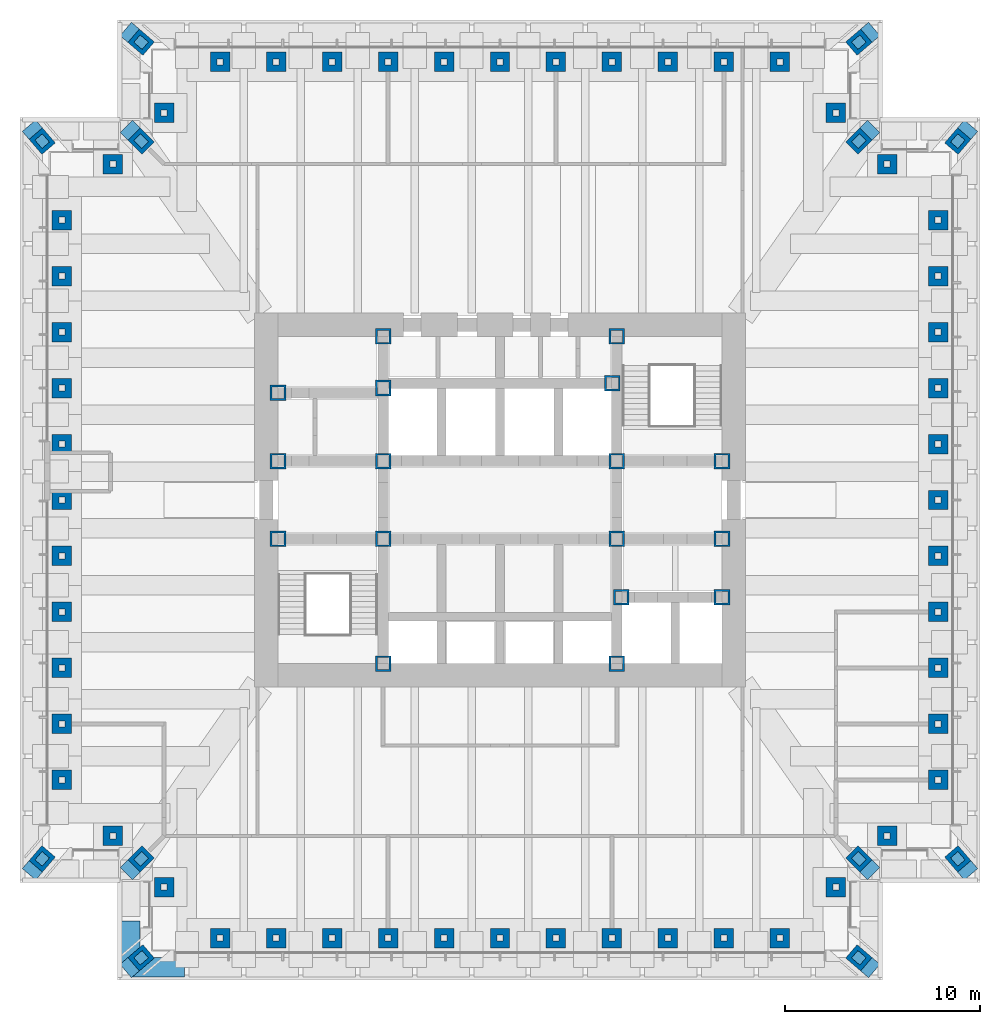
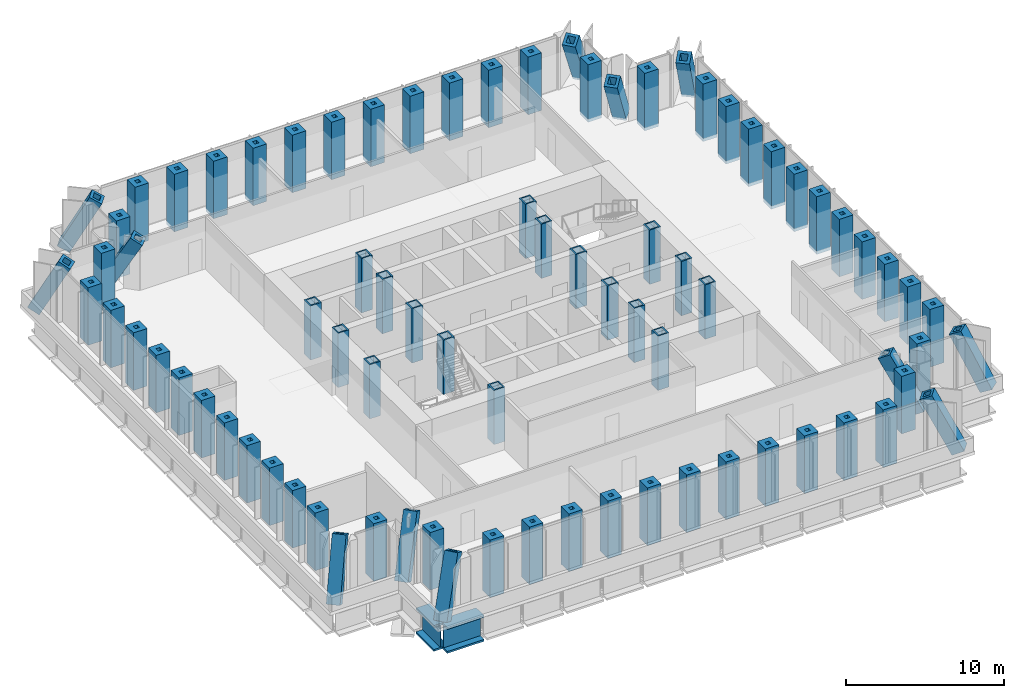
# One storey, part 1 of 13: 81 columns, 2 beams.
"""IFC4 building model written with IfcOpenShell, lengths in metres."""

from ifc_helpers import new_model, si_unit, direction, frame, origin, origin_2d, place, context, subcontext, project, spatial, hollow_rectangle, i_section, extrude, clip, halfspace, material, material_profile, profile_set, type_object, element, save


model = new_model("IFC4")

# Units and contexts
model_context = context("Model", 3, precision=1e-05, world=origin(), true_north=direction((0.0, 1.0)))
body_context = subcontext(model_context, "Body", "Model", "MODEL_VIEW")
ifc_project = project(units=[si_unit("LENGTHUNIT", "METRE"), si_unit("AREAUNIT", "SQUARE_METRE"), si_unit("VOLUMEUNIT", "CUBIC_METRE"), si_unit("PLANEANGLEUNIT", "RADIAN"), si_unit("MASSUNIT", "GRAM", prefix="KILO")], contexts=[model_context])

# Site, building, storey
site_placement = place(None, origin())
site = spatial("IfcSite", under=ifc_project, at=site_placement, CompositionType="ELEMENT")
building_placement = place(site_placement, origin())
building = spatial("IfcBuilding", under=site, at=building_placement, Name="Daluyong Arena Tower", CompositionType="ELEMENT")
storey_placement = place(building_placement, frame((0.0, 0.0, 108.10009765625)))
storey = spatial("IfcBuildingStorey", under=building, at=storey_placement, Name="L23", CompositionType="ELEMENT", Elevation=108.10009765625)

# Columns
ifc_material_1 = material(Name="Steel ASTM A572 Grade 50", Category="steel")
ifc_material_profile_1 = material_profile(ifc_material_1, hollow_rectangle(XDim=0.800048828125, YDim=0.800048828125, WallThickness=0.1, at=origin_2d()))
ifc_profile_set_1 = profile_set([ifc_material_profile_1], Name="Steel ASTM A572 Grade 50")
column_type_1 = type_object("IfcColumnType", Name="Core boundary column BX800X100", PredefinedType="COLUMN", material=ifc_profile_set_1)
for number, where, z_axis, x_axis, name in (
    (1, (44.60009765625, 78.0, 0.0), (0.0, 0.0, 1.0), (1.0, 0.0, 0.0), "core boundary column BC2"),
    (2, (44.60009765625, 82.0, 0.0), (0.0, 0.0, 1.0), (1.0, 0.0, 0.0), "core boundary column BC2"),
    (3, (44.60009765625, 85.5, 0.0), (0.0, 0.0, 1.0), (1.0, 0.0, 0.0), "core boundary column BC2"),
    (4, (50.0, 71.60009765625, 0.0), (0.0, 0.0, 1.0), (1.0, 0.0, 0.0), "core boundary column BC2"),
    (5, (50.0, 78.0, 0.0), (0.0, 0.0, 1.0), (1.0, 0.0, 0.0), "core boundary column BC2"),
    (6, (50.0, 82.0, 0.0), (0.0, 0.0, 1.0), (1.0, 0.0, 0.0), "core boundary column BC2"),
    (7, (50.0, 85.75, 0.0), (0.0, 0.0, 1.0), (1.0, 0.0, 0.0), "core boundary column BC2"),
    (8, (50.0, 88.39990234375, 0.0), (0.0, 0.0, 1.0), (1.0, 0.0, 0.0), "core boundary column BC2"),
    (9, (61.77490234375, 86.0, 0.0), (0.0, 0.0, 1.0), (1.0, 0.0, 0.0), "core boundary column BC2"),
    (10, (62.0, 71.60009765625, 0.0), (0.0, 0.0, 1.0), (1.0, 0.0, 0.0), "core boundary column BC2"),
    (11, (62.0, 78.0, 0.0), (0.0, 0.0, 1.0), (1.0, 0.0, 0.0), "core boundary column BC2"),
    (12, (62.0, 82.0, 0.0), (0.0, 0.0, 1.0), (1.0, 0.0, 0.0), "core boundary column BC2"),
    (13, (62.0, 88.39990234375, 0.0), (0.0, 0.0, 1.0), (1.0, 0.0, 0.0), "core boundary column BC2"),
    (14, (62.22509765625, 75.0, 0.0), (0.0, 0.0, 1.0), (1.0, 0.0, 0.0), "core boundary column BC2"),
    (15, (67.39990234375, 75.0, 0.0), (0.0, 0.0, 1.0), (1.0, 0.0, 0.0), "core boundary column BC2"),
    (16, (67.39990234375, 78.0, 0.0), (0.0, 0.0, 1.0), (1.0, 0.0, 0.0), "core boundary column BC2"),
    (17, (67.39990234375, 82.0, 0.0), (0.0, 0.0, 1.0), (1.0, 0.0, 0.0), "core boundary column BC2"),
):
    element("IfcColumn", number, at=place(storey_placement, frame(where, z_axis=z_axis, x_axis=x_axis)), inside=storey, type_object=column_type_1, Name=name, PredefinedType="COLUMN", context=body_context, shape_type="SweptSolid", body=[
        extrude(hollow_rectangle(XDim=0.800048828125, YDim=0.800048828125, WallThickness=0.1, at=origin_2d()), origin(), (0.0, 0.0, 1.0), 4.199951171875),
    ])
ifc_material_2 = material(Name="Steel ASTM A588 Grade 50", Category="steel")
ifc_material_profile_2 = material_profile(ifc_material_2, hollow_rectangle(XDim=0.89990234375, YDim=0.89990234375, WallThickness=0.2, at=origin_2d()))
ifc_profile_set_2 = profile_set([ifc_material_profile_2], Name="Steel ASTM A588 Grade 50")
column_type_2 = type_object("IfcColumnType", Name="Transition column BX900X200", PredefinedType="COLUMN", material=ifc_profile_set_2)
for number, where, z_axis, x_axis, name in (
    (18, (37.0, 56.0, -0.25), (0.349200787792, 0.299314960964, 0.887957974202), (-0.650791373456, 0.759256602365, 0.0), "transition column TT1"),
    (19, (75.0, 56.0, -0.25), (-0.349200787792, 0.299314960964, 0.887957974202), (-0.650791373456, -0.759256602365, 0.0), "transition column TT1"),
):
    element("IfcColumn", number, at=place(storey_placement, frame(where, z_axis=z_axis, x_axis=x_axis)), inside=storey, type_object=column_type_2, Name=name, PredefinedType="COLUMN", context=body_context, shape_type="Clipping", body=[
        clip(clip(extrude(hollow_rectangle(XDim=0.89990234375, YDim=0.89990234375, WallThickness=0.2, at=origin_2d()), origin(), (0.0, 0.0, 1.0), 5.011474609375), halfspace(frame((0.0, 0.0, 0.2353515625), z_axis=(0.0, 0.0, 1.0), x_axis=(1.0, 0.0, 0.0)), True)), halfspace(frame((0.0, 0.0, 4.776123046875), z_axis=(0.0, 0.0, -1.0), x_axis=(1.0, 0.0, 0.0)), True)),
    ])
column_1_placement = place(storey_placement, frame((75.0, 61.0, -0.25), z_axis=(-0.343685624304, 0.343685624304, 0.873933855216), x_axis=(-0.707106781187, -0.707106781187, 0.0)))
element("IfcColumn", 20, at=column_1_placement, inside=storey, type_object=column_type_2, Name="transition column TT1", PredefinedType="COLUMN", context=body_context, shape_type="Clipping", body=[
    clip(clip(extrude(hollow_rectangle(XDim=0.89990234375, YDim=0.89990234375, WallThickness=0.2, at=origin_2d()), origin(), (0.0, 0.0, 1.0), 5.091796875), halfspace(frame((0.0, 0.0, 0.252685546875), z_axis=(0.0, 0.0, 1.0), x_axis=(1.0, 0.0, 0.0)), True)), halfspace(frame((0.0, 0.0, 4.839111328125), z_axis=(0.0, 0.0, -1.0), x_axis=(1.0, 0.0, 0.0)), True)),
])
for number, where, z_axis, x_axis, name in (
    (21, (80.0, 61.0, -0.25), (-0.299314960964, 0.349200787792, 0.887957974202), (-0.759256602365, -0.650791373456, 0.0), "transition column TT1"),
    (22, (80.0, 99.0, -0.25), (-0.299314960964, -0.349200787792, 0.887957974202), (0.759256602365, -0.650791373456, 0.0), "transition column TT1"),
):
    element("IfcColumn", number, at=place(storey_placement, frame(where, z_axis=z_axis, x_axis=x_axis)), inside=storey, type_object=column_type_2, Name=name, PredefinedType="COLUMN", context=body_context, shape_type="Clipping", body=[
        clip(clip(extrude(hollow_rectangle(XDim=0.89990234375, YDim=0.89990234375, WallThickness=0.2, at=origin_2d()), origin(), (0.0, 0.0, 1.0), 5.011474609375), halfspace(frame((0.0, 0.0, 0.2353515625), z_axis=(0.0, 0.0, 1.0), x_axis=(1.0, 0.0, 0.0)), True)), halfspace(frame((0.0, 0.0, 4.776123046875), z_axis=(0.0, 0.0, -1.0), x_axis=(1.0, 0.0, 0.0)), True)),
    ])
column_2_placement = place(storey_placement, frame((75.0, 99.0, -0.25), z_axis=(-0.343685624304, -0.343685624304, 0.873933855216), x_axis=(0.707106781187, -0.707106781187, 0.0)))
element("IfcColumn", 23, at=column_2_placement, inside=storey, type_object=column_type_2, Name="transition column TT1", PredefinedType="COLUMN", context=body_context, shape_type="Clipping", body=[
    clip(clip(extrude(hollow_rectangle(XDim=0.89990234375, YDim=0.89990234375, WallThickness=0.2, at=origin_2d()), origin(), (0.0, 0.0, 1.0), 5.091796875), halfspace(frame((0.0, 0.0, 0.252685546875), z_axis=(0.0, 0.0, 1.0), x_axis=(1.0, 0.0, 0.0)), True)), halfspace(frame((0.0, 0.0, 4.839111328125), z_axis=(0.0, 0.0, -1.0), x_axis=(1.0, 0.0, 0.0)), True)),
])
for number, where, z_axis, x_axis, name in (
    (24, (75.0, 104.0, -0.25), (-0.349200787792, -0.299314960964, 0.887957974202), (0.650791373456, -0.759256602365, 0.0), "transition column TT1"),
    (25, (37.0, 104.0, -0.25), (0.349200787792, -0.299314960964, 0.887957974202), (0.650791373456, 0.759256602365, 0.0), "transition column TT1"),
):
    element("IfcColumn", number, at=place(storey_placement, frame(where, z_axis=z_axis, x_axis=x_axis)), inside=storey, type_object=column_type_2, Name=name, PredefinedType="COLUMN", context=body_context, shape_type="Clipping", body=[
        clip(clip(extrude(hollow_rectangle(XDim=0.89990234375, YDim=0.89990234375, WallThickness=0.2, at=origin_2d()), origin(), (0.0, 0.0, 1.0), 5.011474609375), halfspace(frame((0.0, 0.0, 0.2353515625), z_axis=(0.0, 0.0, 1.0), x_axis=(1.0, 0.0, 0.0)), True)), halfspace(frame((0.0, 0.0, 4.776123046875), z_axis=(0.0, 0.0, -1.0), x_axis=(1.0, 0.0, 0.0)), True)),
    ])
column_3_placement = place(storey_placement, frame((37.0, 99.0, -0.25), z_axis=(0.343685624304, -0.343685624304, 0.873933855216), x_axis=(0.707106781187, 0.707106781187, 0.0)))
element("IfcColumn", 26, at=column_3_placement, inside=storey, type_object=column_type_2, Name="transition column TT1", PredefinedType="COLUMN", context=body_context, shape_type="Clipping", body=[
    clip(clip(extrude(hollow_rectangle(XDim=0.89990234375, YDim=0.89990234375, WallThickness=0.2, at=origin_2d()), origin(), (0.0, 0.0, 1.0), 5.091796875), halfspace(frame((0.0, 0.0, 0.252685546875), z_axis=(0.0, 0.0, 1.0), x_axis=(1.0, 0.0, 0.0)), True)), halfspace(frame((0.0, 0.0, 4.839111328125), z_axis=(0.0, 0.0, -1.0), x_axis=(1.0, 0.0, 0.0)), True)),
])
for number, where, z_axis, x_axis, name in (
    (27, (32.0, 99.0, -0.25), (0.299314960964, -0.349200787792, 0.887957974202), (0.759256602365, 0.650791373456, 0.0), "transition column TT1"),
    (28, (32.0, 61.0, -0.25), (0.299314960964, 0.349200787792, 0.887957974202), (-0.759256602365, 0.650791373456, 0.0), "transition column TT1"),
):
    element("IfcColumn", number, at=place(storey_placement, frame(where, z_axis=z_axis, x_axis=x_axis)), inside=storey, type_object=column_type_2, Name=name, PredefinedType="COLUMN", context=body_context, shape_type="Clipping", body=[
        clip(clip(extrude(hollow_rectangle(XDim=0.89990234375, YDim=0.89990234375, WallThickness=0.2, at=origin_2d()), origin(), (0.0, 0.0, 1.0), 5.011474609375), halfspace(frame((0.0, 0.0, 0.2353515625), z_axis=(0.0, 0.0, 1.0), x_axis=(1.0, 0.0, 0.0)), True)), halfspace(frame((0.0, 0.0, 4.776123046875), z_axis=(0.0, 0.0, -1.0), x_axis=(1.0, 0.0, 0.0)), True)),
    ])
column_4_placement = place(storey_placement, frame((37.0, 61.0, -0.25), z_axis=(0.343685624304, 0.343685624304, 0.873933855216), x_axis=(-0.707106781187, 0.707106781187, 0.0)))
element("IfcColumn", 29, at=column_4_placement, inside=storey, type_object=column_type_2, Name="transition column TT1", PredefinedType="COLUMN", context=body_context, shape_type="Clipping", body=[
    clip(clip(extrude(hollow_rectangle(XDim=0.89990234375, YDim=0.89990234375, WallThickness=0.2, at=origin_2d()), origin(), (0.0, 0.0, 1.0), 5.091796875), halfspace(frame((0.0, 0.0, 0.252685546875), z_axis=(0.0, 0.0, 1.0), x_axis=(1.0, 0.0, 0.0)), True)), halfspace(frame((0.0, 0.0, 4.839111328125), z_axis=(0.0, 0.0, -1.0), x_axis=(1.0, 0.0, 0.0)), True)),
])
ifc_material_3 = material(Name="Steel ASTM A36", Category="steel")
ifc_material_profile_3 = material_profile(ifc_material_3, hollow_rectangle(XDim=1.0, YDim=1.0, WallThickness=0.35, at=origin_2d()))
ifc_profile_set_3 = profile_set([ifc_material_profile_3], Name="Steel ASTM A36")
column_type_3 = type_object("IfcColumnType", Name="Tube column BX1000X350 BX1000X350", PredefinedType="COLUMN", material=ifc_profile_set_3)
for number, where, z_axis, x_axis, name in (
    (30, (41.625, 57.5, -0.25), (0.0, 0.0, 1.0), (1.0, 0.0, 0.0), "tube column bx1000x350 TC3"),
    (31, (44.5, 57.5, -0.25), (0.0, 0.0, 1.0), (1.0, 0.0, 0.0), "tube column bx1000x350 TC3"),
    (32, (47.375, 57.5, -0.25), (0.0, 0.0, 1.0), (1.0, 0.0, 0.0), "tube column bx1000x350 TC3"),
    (33, (50.25, 57.5, -0.25), (0.0, 0.0, 1.0), (1.0, 0.0, 0.0), "tube column bx1000x350 TC3"),
    (34, (53.125, 57.5, -0.25), (0.0, 0.0, 1.0), (1.0, 0.0, 0.0), "tube column bx1000x350 TC3"),
    (35, (56.0, 57.5, -0.25), (0.0, 0.0, 1.0), (1.0, 0.0, 0.0), "tube column bx1000x350 TC3"),
    (36, (58.875, 57.5, -0.25), (0.0, 0.0, 1.0), (1.0, 0.0, 0.0), "tube column bx1000x350 TC3"),
    (37, (61.75, 57.5, -0.25), (0.0, 0.0, 1.0), (1.0, 0.0, 0.0), "tube column bx1000x350 TC3"),
    (38, (64.625, 57.5, -0.25), (0.0, 0.0, 1.0), (1.0, 0.0, 0.0), "tube column bx1000x350 TC3"),
    (39, (67.5, 57.5, -0.25), (0.0, 0.0, 1.0), (1.0, 0.0, 0.0), "tube column bx1000x350 TC3"),
    (40, (70.375, 57.5, -0.25), (0.0, 0.0, 1.0), (1.0, 0.0, 0.0), "tube column bx1000x350 TC3"),
    (41, (73.25, 60.125, -0.25), (0.0, 0.0, 1.0), (0.0, 1.0, 0.0), "tube column bx1000x350 TC3"),
    (42, (75.875, 62.75, -0.25), (0.0, 0.0, 1.0), (1.0, 0.0, 0.0), "tube column bx1000x350 TC3"),
    (43, (78.5, 65.625, -0.25), (0.0, 0.0, 1.0), (0.0, 1.0, 0.0), "tube column bx1000x350 TC3"),
    (44, (78.5, 68.5, -0.25), (0.0, 0.0, 1.0), (0.0, 1.0, 0.0), "tube column bx1000x350 TC3"),
    (45, (78.5, 71.375, -0.25), (0.0, 0.0, 1.0), (0.0, 1.0, 0.0), "tube column bx1000x350 TC3"),
    (46, (78.5, 74.25, -0.25), (0.0, 0.0, 1.0), (0.0, 1.0, 0.0), "tube column bx1000x350 TC3"),
    (47, (78.5, 77.125, -0.25), (0.0, 0.0, 1.0), (0.0, 1.0, 0.0), "tube column bx1000x350 TC3"),
    (48, (78.5, 80.0, -0.25), (0.0, 0.0, 1.0), (0.0, 1.0, 0.0), "tube column bx1000x350 TC3"),
    (49, (78.5, 82.875, -0.25), (0.0, 0.0, 1.0), (0.0, 1.0, 0.0), "tube column bx1000x350 TC3"),
    (50, (78.5, 85.75, -0.25), (0.0, 0.0, 1.0), (0.0, 1.0, 0.0), "tube column bx1000x350 TC3"),
    (51, (78.5, 88.625, -0.25), (0.0, 0.0, 1.0), (0.0, 1.0, 0.0), "tube column bx1000x350 TC3"),
    (52, (78.5, 91.5, -0.25), (0.0, 0.0, 1.0), (0.0, 1.0, 0.0), "tube column bx1000x350 TC3"),
    (53, (78.5, 94.375, -0.25), (0.0, 0.0, 1.0), (0.0, 1.0, 0.0), "tube column bx1000x350 TC3"),
    (54, (75.875, 97.25, -0.25), (0.0, 0.0, 1.0), (1.0, 0.0, 0.0), "tube column bx1000x350 TC3"),
    (55, (73.25, 99.875, -0.25), (0.0, 0.0, 1.0), (0.0, 1.0, 0.0), "tube column bx1000x350 TC3"),
    (56, (70.375, 102.5, -0.25), (0.0, 0.0, 1.0), (1.0, 0.0, 0.0), "tube column bx1000x350 TC3"),
    (57, (67.5, 102.5, -0.25), (0.0, 0.0, 1.0), (1.0, 0.0, 0.0), "tube column bx1000x350 TC3"),
    (58, (64.625, 102.5, -0.25), (0.0, 0.0, 1.0), (1.0, 0.0, 0.0), "tube column bx1000x350 TC3"),
    (59, (61.75, 102.5, -0.25), (0.0, 0.0, 1.0), (1.0, 0.0, 0.0), "tube column bx1000x350 TC3"),
    (60, (58.875, 102.5, -0.25), (0.0, 0.0, 1.0), (1.0, 0.0, 0.0), "tube column bx1000x350 TC3"),
    (61, (56.0, 102.5, -0.25), (0.0, 0.0, 1.0), (1.0, 0.0, 0.0), "tube column bx1000x350 TC3"),
    (62, (53.125, 102.5, -0.25), (0.0, 0.0, 1.0), (1.0, 0.0, 0.0), "tube column bx1000x350 TC3"),
    (63, (50.25, 102.5, -0.25), (0.0, 0.0, 1.0), (1.0, 0.0, 0.0), "tube column bx1000x350 TC3"),
    (64, (47.375, 102.5, -0.25), (0.0, 0.0, 1.0), (1.0, 0.0, 0.0), "tube column bx1000x350 TC3"),
    (65, (44.5, 102.5, -0.25), (0.0, 0.0, 1.0), (1.0, 0.0, 0.0), "tube column bx1000x350 TC3"),
    (66, (41.625, 102.5, -0.25), (0.0, 0.0, 1.0), (1.0, 0.0, 0.0), "tube column bx1000x350 TC3"),
    (67, (38.75, 99.875, -0.25), (0.0, 0.0, 1.0), (0.0, 1.0, 0.0), "tube column bx1000x350 TC3"),
    (68, (36.125, 97.25, -0.25), (0.0, 0.0, 1.0), (1.0, 0.0, 0.0), "tube column bx1000x350 TC3"),
    (69, (33.5, 94.375, -0.25), (0.0, 0.0, 1.0), (0.0, 1.0, 0.0), "tube column bx1000x350 TC3"),
    (70, (33.5, 91.5, -0.25), (0.0, 0.0, 1.0), (0.0, 1.0, 0.0), "tube column bx1000x350 TC3"),
    (71, (33.5, 88.625, -0.25), (0.0, 0.0, 1.0), (0.0, 1.0, 0.0), "tube column bx1000x350 TC3"),
    (72, (33.5, 85.75, -0.25), (0.0, 0.0, 1.0), (0.0, 1.0, 0.0), "tube column bx1000x350 TC3"),
    (73, (33.5, 82.875, -0.25), (0.0, 0.0, 1.0), (0.0, 1.0, 0.0), "tube column bx1000x350 TC3"),
    (74, (33.5, 80.0, -0.25), (0.0, 0.0, 1.0), (0.0, 1.0, 0.0), "tube column bx1000x350 TC3"),
    (75, (33.5, 77.125, -0.25), (0.0, 0.0, 1.0), (0.0, 1.0, 0.0), "tube column bx1000x350 TC3"),
    (76, (33.5, 74.25, -0.25), (0.0, 0.0, 1.0), (0.0, 1.0, 0.0), "tube column bx1000x350 TC3"),
    (77, (33.5, 71.375, -0.25), (0.0, 0.0, 1.0), (0.0, 1.0, 0.0), "tube column bx1000x350 TC3"),
    (78, (33.5, 68.5, -0.25), (0.0, 0.0, 1.0), (0.0, 1.0, 0.0), "tube column bx1000x350 TC3"),
    (79, (33.5, 65.625, -0.25), (0.0, 0.0, 1.0), (0.0, 1.0, 0.0), "tube column bx1000x350 TC3"),
    (80, (36.125, 62.75, -0.25), (0.0, 0.0, 1.0), (1.0, 0.0, 0.0), "tube column bx1000x350 TC3"),
    (81, (38.75, 60.125, -0.25), (0.0, 0.0, 1.0), (0.0, 1.0, 0.0), "tube column bx1000x350 TC3"),
):
    element("IfcColumn", number, at=place(storey_placement, frame(where, z_axis=z_axis, x_axis=x_axis)), inside=storey, type_object=column_type_3, Name=name, PredefinedType="COLUMN", context=body_context, shape_type="SweptSolid", body=[
        extrude(hollow_rectangle(XDim=1.0, YDim=1.0, WallThickness=0.35, at=origin_2d()), origin(), (0.0, 0.0, 1.0), 4.449951171875),
    ])

# Beams
ifc_material_4 = material(Name="Steel ASTM A588 Grade 50", Category="steel")
ifc_material_profile_4 = material_profile(ifc_material_4, i_section(OverallWidth=1.0, OverallDepth=2.0, WebThickness=0.06, FlangeThickness=0.15, at=origin_2d()))
ifc_profile_set_4 = profile_set([ifc_material_profile_4], Name="Steel ASTM A588 Grade 50")
beam_type = type_object("IfcBeamType", Name="Spandrel Z1 PG2000X1000", PredefinedType="SPANDREL", material=ifc_profile_set_4)
beam_1_placement = place(storey_placement, frame((37.114990234375, 56.0, -1.25), z_axis=(1.0, 0.0, 0.0), x_axis=(0.0, 1.0, 0.0)))
element("IfcBeam", 82, at=beam_1_placement, inside=storey, type_object=beam_type, Name="spandrel z1 SB2", PredefinedType="SPANDREL", context=body_context, shape_type="SweptSolid", body=[
    extrude(i_section(OverallWidth=1.0, OverallDepth=2.0, WebThickness=0.06, FlangeThickness=0.15, at=origin_2d()), origin(), (0.0, 0.0, 1.0), 2.693115234375),
])
beam_2_placement = place(storey_placement, frame((37.0, 58.385009765625, -1.25), z_axis=(0.0, -1.0, 0.0), x_axis=(1.0, 0.0, 0.0)))
element("IfcBeam", 83, at=beam_2_placement, inside=storey, type_object=beam_type, Name="spandrel z1 SB2", PredefinedType="SPANDREL", context=body_context, shape_type="SweptSolid", body=[
    extrude(i_section(OverallWidth=1.0, OverallDepth=2.0, WebThickness=0.06, FlangeThickness=0.15, at=origin_2d()), origin(), (0.0, 0.0, 1.0), 2.27001953125),
])

save(model, "model.ifc")
